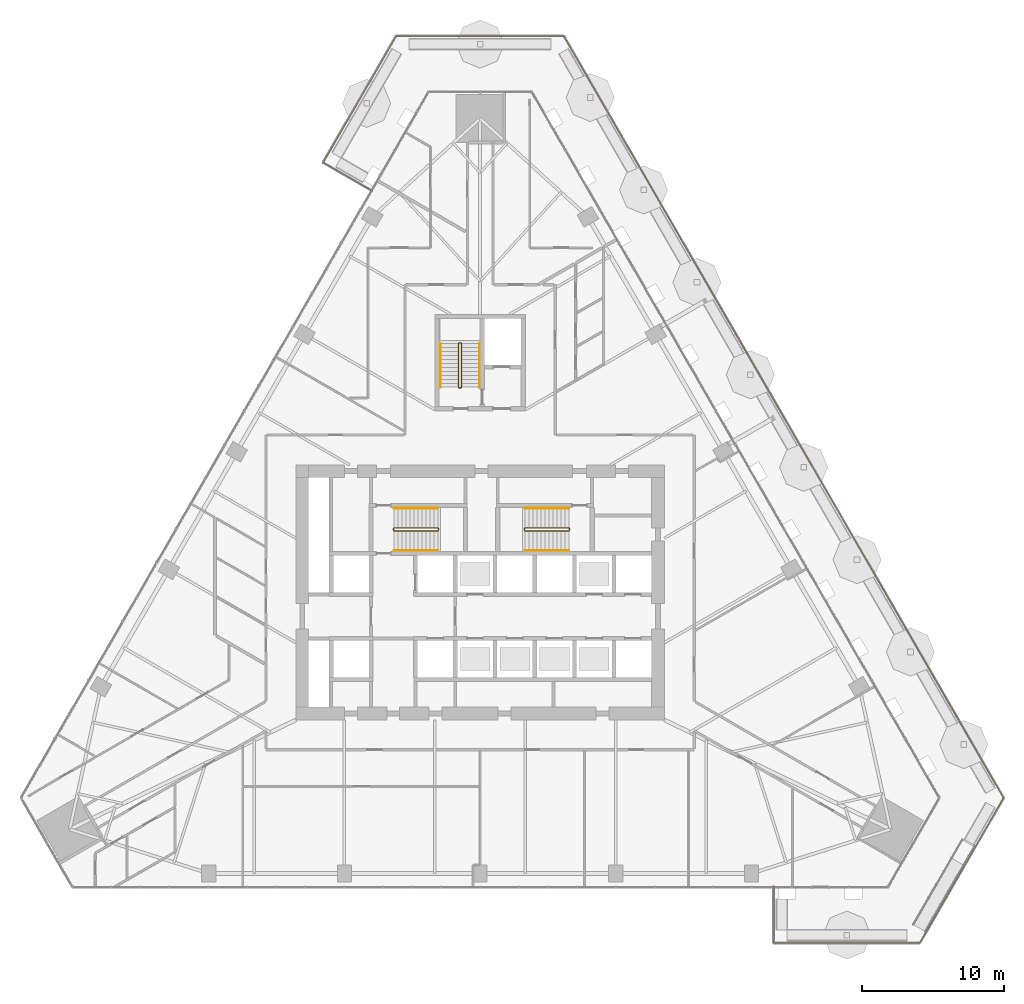
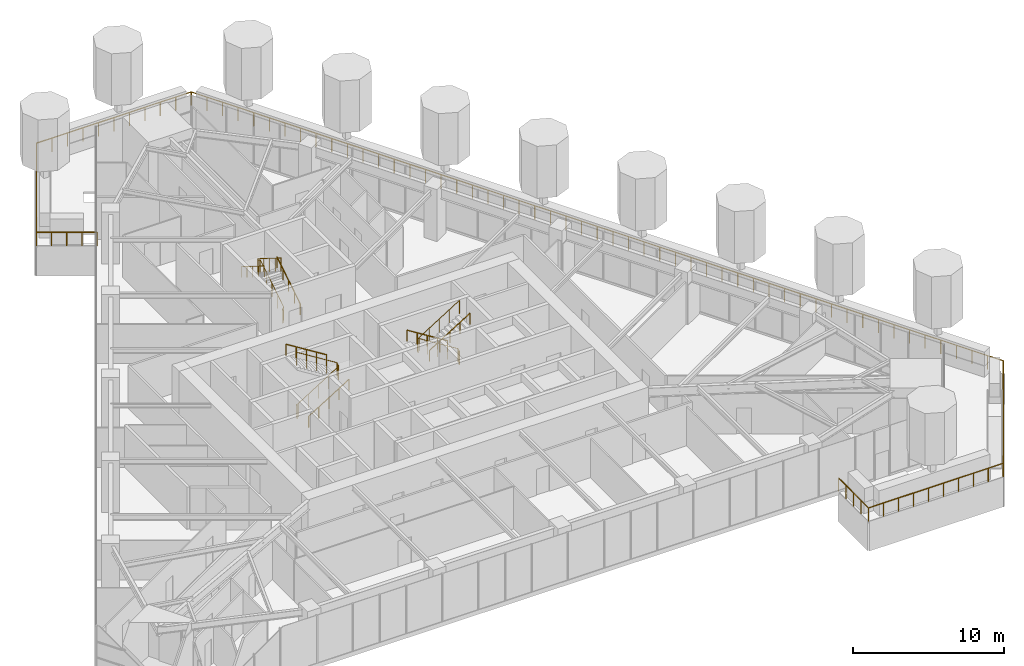
# One storey, part 23 of 26: 10 railings.
"""IFC4 building model written with IfcOpenShell, lengths in metres."""

from ifc_helpers import new_model, si_unit, direction, frame, origin, origin_2d, place, context, subcontext, project, spatial, circle, extrude, material, type_object, element, save


model = new_model("IFC4")

# Units and contexts
model_context = context("Model", 3, precision=1e-05, world=origin(), true_north=direction((0.0, 1.0)))
body_context = subcontext(model_context, "Body", "Model", "MODEL_VIEW")
ifc_project = project(units=[si_unit("LENGTHUNIT", "METRE"), si_unit("AREAUNIT", "SQUARE_METRE"), si_unit("VOLUMEUNIT", "CUBIC_METRE"), si_unit("PLANEANGLEUNIT", "RADIAN"), si_unit("MASSUNIT", "GRAM", prefix="KILO")], contexts=[model_context])

# Site, building, storey
site_placement = place(None, origin())
site = spatial("IfcSite", under=ifc_project, at=site_placement, CompositionType="ELEMENT")
building_placement = place(site_placement, origin())
building = spatial("IfcBuilding", under=site, at=building_placement, Name="Firuza Gate Tower and Library", CompositionType="ELEMENT")
storey_placement = place(building_placement, frame((0.0, 0.0, 52.60009765625)))
storey = spatial("IfcBuildingStorey", under=building, at=storey_placement, Name="L11", CompositionType="ELEMENT", Elevation=52.60009765625)

# Railings
ifc_material_1 = material(Name="Steel S355", Category="steel")
railing_type_1 = type_object("IfcRailingType", Name="Stair guard 1100", PredefinedType="GUARDRAIL", material=ifc_material_1)
railing_1_placement = place(storey_placement, frame((68.889892578125, 79.389892578125, 0.0)))
element("IfcRailing", 1, at=railing_1_placement, inside=storey, type_object=railing_type_1, Name="L11 ST1 stair guard 1", PredefinedType="GUARDRAIL", context=body_context, shape_type="SweptSolid", body=[
    extrude(circle(Radius=0.02392578125, at=origin_2d()), frame((0.0, 0.0, 1.076171875), z_axis=(0.0, 1.0, 0.0), x_axis=(-1.0, 0.0, 0.0)), (0.0, 0.0, 1.0), 0.10009765625),
    extrude(circle(Radius=0.02392578125, at=origin_2d()), frame((0.0, 0.10009765625, 1.076171875), z_axis=(0.212383695785, -0.636115069328, 0.741788908207), x_axis=(0.948528701346, 0.316691178788, 0.0)), (0.0, 0.0, 1.0), 0.235595703125),
    extrude(circle(Radius=0.02392578125, at=origin_2d()), frame((0.050048828125, -0.0498046875, 1.2509765625), z_axis=(0.847998304005, 0.0, 0.529998940003), x_axis=(0.0, 1.0, 0.0)), (0.0, 0.0, 1.0), 3.632080078125),
    extrude(circle(Radius=0.02392578125, at=origin_2d()), frame((3.130126953125, -0.0498046875, 3.17578125), z_axis=(0.708833529934, 0.705375805398, 0.0), x_axis=(-0.705375805398, 0.708833529934, 0.0)), (0.0, 0.0, 1.0), 0.070556640625),
    extrude(circle(Radius=0.02392578125, at=origin_2d()), frame((3.18017578125, 0.0, 3.17578125), z_axis=(0.0, 1.0, 0.0), x_axis=(-1.0, 0.0, 0.0)), (0.0, 0.0, 1.0), 0.10009765625),
    extrude(circle(Radius=0.02392578125, at=origin_2d()), frame((3.18017578125, 0.10009765625, 3.17578125), z_axis=(-0.265065253269, 0.265065253269, 0.927081885822), x_axis=(-0.707106781187, -0.707106781187, 0.0)), (0.0, 0.0, 1.0), 0.188720703125),
    extrude(circle(Radius=0.02392578125, at=origin_2d()), frame((3.130126953125, 0.150146484375, 3.35107421875), z_axis=(-0.847998304005, 0.0, 0.529998940003), x_axis=(0.0, -1.0, 0.0)), (0.0, 0.0, 1.0), 3.632080078125),
    extrude(circle(Radius=0.02099609375, at=origin_2d()), origin(), (0.0, 0.0, 1.0), 1.052001953125),
    extrude(circle(Radius=0.02099609375, at=origin_2d()), frame((0.0, 0.10009765625, 0.0)), (0.0, 0.0, 1.0), 1.052001953125),
    extrude(circle(Radius=0.02099609375, at=origin_2d()), frame((0.050048828125, -0.0498046875, 0.1748046875)), (0.0, 0.0, 1.0), 1.052001953125),
    extrude(circle(Radius=0.02099609375, at=origin_2d()), frame((0.820068359375, -0.0498046875, 0.656005859375)), (0.0, 0.0, 1.0), 1.052001953125),
    extrude(circle(Radius=0.02099609375, at=origin_2d()), frame((1.590087890625, -0.0498046875, 1.13720703125)), (0.0, 0.0, 1.0), 1.052001953125),
    extrude(circle(Radius=0.02099609375, at=origin_2d()), frame((2.360107421875, -0.0498046875, 1.61865234375)), (0.0, 0.0, 1.0), 1.052001953125),
    extrude(circle(Radius=0.02099609375, at=origin_2d()), frame((3.130126953125, -0.0498046875, 2.099853515625)), (0.0, 0.0, 1.0), 1.052001953125),
    extrude(circle(Radius=0.02099609375, at=origin_2d()), frame((3.18017578125, 0.0, 2.099853515625)), (0.0, 0.0, 1.0), 1.052001953125),
    extrude(circle(Radius=0.02099609375, at=origin_2d()), frame((3.18017578125, 0.10009765625, 2.099853515625)), (0.0, 0.0, 1.0), 1.052001953125),
    extrude(circle(Radius=0.02099609375, at=origin_2d()), frame((3.130126953125, 0.150146484375, 2.27490234375)), (0.0, 0.0, 1.0), 1.052001953125),
    extrude(circle(Radius=0.02099609375, at=origin_2d()), frame((2.360107421875, 0.150146484375, 2.756103515625)), (0.0, 0.0, 1.0), 1.052001953125),
    extrude(circle(Radius=0.02099609375, at=origin_2d()), frame((1.590087890625, 0.150146484375, 3.2373046875)), (0.0, 0.0, 1.0), 1.052001953125),
    extrude(circle(Radius=0.02099609375, at=origin_2d()), frame((0.820068359375, 0.150146484375, 3.71875)), (0.0, 0.0, 1.0), 1.052001953125),
    extrude(circle(Radius=0.02099609375, at=origin_2d()), frame((0.050048828125, 0.150146484375, 4.199951171875)), (0.0, 0.0, 1.0), 1.052001953125),
])
railing_2_placement = place(storey_placement, frame((81.31005859375, 79.489990234375, 0.0)))
element("IfcRailing", 2, at=railing_2_placement, inside=storey, type_object=railing_type_1, Name="L11 ST2 stair guard 1", PredefinedType="GUARDRAIL", context=body_context, shape_type="SweptSolid", body=[
    extrude(circle(Radius=0.02392578125, at=origin_2d()), frame((0.0, 0.0, 1.076171875), z_axis=(0.0, -1.0, 0.0), x_axis=(1.0, 0.0, 0.0)), (0.0, 0.0, 1.0), 0.10009765625),
    extrude(circle(Radius=0.02392578125, at=origin_2d()), frame((0.0, -0.10009765625, 1.076171875), z_axis=(-0.21224375372, 0.63673126116, 0.741300134944), x_axis=(-0.948683298051, -0.316227766017, 0.0)), (0.0, 0.0, 1.0), 0.23583984375),
    extrude(circle(Radius=0.02392578125, at=origin_2d()), frame((-0.050048828125, 0.050048828125, 1.2509765625), z_axis=(-0.847998304005, 0.0, 0.529998940003), x_axis=(0.0, -1.0, 0.0)), (0.0, 0.0, 1.0), 3.632080078125),
    extrude(circle(Radius=0.02392578125, at=origin_2d()), frame((-3.130126953125, 0.050048828125, 3.17578125), z_axis=(-0.707106781187, -0.707106781187, 0.0), x_axis=(0.707106781187, -0.707106781187, 0.0)), (0.0, 0.0, 1.0), 0.07080078125),
    extrude(circle(Radius=0.02392578125, at=origin_2d()), frame((-3.18017578125, 0.0, 3.17578125), z_axis=(0.0, -1.0, 0.0), x_axis=(1.0, 0.0, 0.0)), (0.0, 0.0, 1.0), 0.10009765625),
    extrude(circle(Radius=0.02392578125, at=origin_2d()), frame((-3.18017578125, -0.10009765625, 3.17578125), z_axis=(0.265155923931, -0.263862480399, 0.927399011991), x_axis=(0.705375805398, 0.708833529934, 0.0)), (0.0, 0.0, 1.0), 0.188720703125),
    extrude(circle(Radius=0.02392578125, at=origin_2d()), frame((-3.130126953125, -0.14990234375, 3.35107421875), z_axis=(0.847998304005, 0.0, 0.529998940003), x_axis=(0.0, 1.0, 0.0)), (0.0, 0.0, 1.0), 3.632080078125),
    extrude(circle(Radius=0.02099609375, at=origin_2d()), origin(), (0.0, 0.0, 1.0), 1.052001953125),
    extrude(circle(Radius=0.02099609375, at=origin_2d()), frame((0.0, -0.10009765625, 0.0)), (0.0, 0.0, 1.0), 1.052001953125),
    extrude(circle(Radius=0.02099609375, at=origin_2d()), frame((-0.050048828125, 0.050048828125, 0.1748046875)), (0.0, 0.0, 1.0), 1.052001953125),
    extrude(circle(Radius=0.02099609375, at=origin_2d()), frame((-0.820068359375, 0.050048828125, 0.656005859375)), (0.0, 0.0, 1.0), 1.052001953125),
    extrude(circle(Radius=0.02099609375, at=origin_2d()), frame((-1.590087890625, 0.050048828125, 1.13720703125)), (0.0, 0.0, 1.0), 1.052001953125),
    extrude(circle(Radius=0.02099609375, at=origin_2d()), frame((-2.360107421875, 0.050048828125, 1.61865234375)), (0.0, 0.0, 1.0), 1.052001953125),
    extrude(circle(Radius=0.02099609375, at=origin_2d()), frame((-3.130126953125, 0.050048828125, 2.099853515625)), (0.0, 0.0, 1.0), 1.052001953125),
    extrude(circle(Radius=0.02099609375, at=origin_2d()), frame((-3.18017578125, 0.0, 2.099853515625)), (0.0, 0.0, 1.0), 1.052001953125),
    extrude(circle(Radius=0.02099609375, at=origin_2d()), frame((-3.18017578125, -0.10009765625, 2.099853515625)), (0.0, 0.0, 1.0), 1.052001953125),
    extrude(circle(Radius=0.02099609375, at=origin_2d()), frame((-3.130126953125, -0.14990234375, 2.27490234375)), (0.0, 0.0, 1.0), 1.052001953125),
    extrude(circle(Radius=0.02099609375, at=origin_2d()), frame((-2.360107421875, -0.14990234375, 2.756103515625)), (0.0, 0.0, 1.0), 1.052001953125),
    extrude(circle(Radius=0.02099609375, at=origin_2d()), frame((-1.590087890625, -0.14990234375, 3.2373046875)), (0.0, 0.0, 1.0), 1.052001953125),
    extrude(circle(Radius=0.02099609375, at=origin_2d()), frame((-0.820068359375, -0.14990234375, 3.71875)), (0.0, 0.0, 1.0), 1.052001953125),
    extrude(circle(Radius=0.02099609375, at=origin_2d()), frame((-0.050048828125, -0.14990234375, 4.199951171875)), (0.0, 0.0, 1.0), 1.052001953125),
])
railing_3_placement = place(storey_placement, frame((73.6298828125, 89.419921875, 0.0)))
element("IfcRailing", 3, at=railing_3_placement, inside=storey, type_object=railing_type_1, Name="L11 ST3 stair guard 1", PredefinedType="GUARDRAIL", context=body_context, shape_type="SweptSolid", body=[
    extrude(circle(Radius=0.02392578125, at=origin_2d()), frame((0.0, 0.0, 1.076171875), z_axis=(-1.0, 0.0, 0.0), x_axis=(0.0, -1.0, 0.0)), (0.0, 0.0, 1.0), 0.099853515625),
    extrude(circle(Radius=0.02392578125, at=origin_2d()), frame((-0.099853515625, 0.0, 1.076171875), z_axis=(0.636115069328, 0.212383695785, 0.741788908207), x_axis=(-0.316691178788, 0.948528701346, 0.0)), (0.0, 0.0, 1.0), 0.235595703125),
    extrude(circle(Radius=0.02392578125, at=origin_2d()), frame((0.050048828125, 0.050048828125, 1.2509765625), z_axis=(0.0, 0.847998304005, 0.529998940003), x_axis=(-1.0, 0.0, 0.0)), (0.0, 0.0, 1.0), 3.632080078125),
    extrude(circle(Radius=0.02392578125, at=origin_2d()), frame((0.050048828125, 3.130126953125, 3.17578125), z_axis=(-0.707106781187, 0.707106781187, 0.0), x_axis=(-0.707106781187, -0.707106781187, 0.0)), (0.0, 0.0, 1.0), 0.07080078125),
    extrude(circle(Radius=0.02392578125, at=origin_2d()), frame((0.0, 3.18017578125, 3.17578125), z_axis=(-1.0, 0.0, 0.0), x_axis=(0.0, -1.0, 0.0)), (0.0, 0.0, 1.0), 0.099853515625),
    extrude(circle(Radius=0.02392578125, at=origin_2d()), frame((-0.099853515625, 3.18017578125, 3.17578125), z_axis=(-0.265065253269, -0.265065253269, 0.927081885822), x_axis=(0.707106781187, -0.707106781187, 0.0)), (0.0, 0.0, 1.0), 0.188720703125),
    extrude(circle(Radius=0.02392578125, at=origin_2d()), frame((-0.14990234375, 3.130126953125, 3.35107421875), z_axis=(0.0, -0.847998304005, 0.529998940003), x_axis=(1.0, 0.0, 0.0)), (0.0, 0.0, 1.0), 3.632080078125),
    extrude(circle(Radius=0.02099609375, at=origin_2d()), origin(), (0.0, 0.0, 1.0), 1.052001953125),
    extrude(circle(Radius=0.02099609375, at=origin_2d()), frame((-0.099853515625, 0.0, 0.0)), (0.0, 0.0, 1.0), 1.052001953125),
    extrude(circle(Radius=0.02099609375, at=origin_2d()), frame((0.050048828125, 0.050048828125, 0.1748046875)), (0.0, 0.0, 1.0), 1.052001953125),
    extrude(circle(Radius=0.02099609375, at=origin_2d()), frame((0.050048828125, 0.820068359375, 0.656005859375)), (0.0, 0.0, 1.0), 1.052001953125),
    extrude(circle(Radius=0.02099609375, at=origin_2d()), frame((0.050048828125, 1.590087890625, 1.13720703125)), (0.0, 0.0, 1.0), 1.052001953125),
    extrude(circle(Radius=0.02099609375, at=origin_2d()), frame((0.050048828125, 2.360107421875, 1.61865234375)), (0.0, 0.0, 1.0), 1.052001953125),
    extrude(circle(Radius=0.02099609375, at=origin_2d()), frame((0.050048828125, 3.130126953125, 2.099853515625)), (0.0, 0.0, 1.0), 1.052001953125),
    extrude(circle(Radius=0.02099609375, at=origin_2d()), frame((0.0, 3.18017578125, 2.099853515625)), (0.0, 0.0, 1.0), 1.052001953125),
    extrude(circle(Radius=0.02099609375, at=origin_2d()), frame((-0.099853515625, 3.18017578125, 2.099853515625)), (0.0, 0.0, 1.0), 1.052001953125),
    extrude(circle(Radius=0.02099609375, at=origin_2d()), frame((-0.14990234375, 3.130126953125, 2.27490234375)), (0.0, 0.0, 1.0), 1.052001953125),
    extrude(circle(Radius=0.02099609375, at=origin_2d()), frame((-0.14990234375, 2.360107421875, 2.756103515625)), (0.0, 0.0, 1.0), 1.052001953125),
    extrude(circle(Radius=0.02099609375, at=origin_2d()), frame((-0.14990234375, 1.590087890625, 3.2373046875)), (0.0, 0.0, 1.0), 1.052001953125),
    extrude(circle(Radius=0.02099609375, at=origin_2d()), frame((-0.14990234375, 0.820068359375, 3.71875)), (0.0, 0.0, 1.0), 1.052001953125),
    extrude(circle(Radius=0.02099609375, at=origin_2d()), frame((-0.14990234375, 0.050048828125, 4.199951171875)), (0.0, 0.0, 1.0), 1.052001953125),
])
ifc_material_2 = material(Name="Steel S355", Category="steel")
railing_type_2 = type_object("IfcRailingType", Name="Stair handrail 900", PredefinedType="HANDRAIL", material=ifc_material_2)
railing_4_placement = place(storey_placement, frame((68.93994140625, 77.949951171875, 0.1748046875)))
element("IfcRailing", 4, at=railing_4_placement, inside=storey, type_object=railing_type_2, Name="L11 ST1 stair handrail 1", PredefinedType="HANDRAIL", context=body_context, shape_type="SweptSolid", body=[
    extrude(circle(Radius=0.02392578125, at=origin_2d()), frame((0.0, 0.0, 0.8759765625), z_axis=(0.847998304005, 0.0, 0.529998940003), x_axis=(0.0, 1.0, 0.0)), (0.0, 0.0, 1.0), 3.632080078125),
    extrude(circle(Radius=0.02099609375, at=origin_2d()), origin(), (0.0, 0.0, 1.0), 0.851806640625),
    extrude(circle(Radius=0.02099609375, at=origin_2d()), frame((0.77001953125, 0.0, 0.481201171875)), (0.0, 0.0, 1.0), 0.851806640625),
    extrude(circle(Radius=0.02099609375, at=origin_2d()), frame((1.5400390625, 0.0, 0.96240234375)), (0.0, 0.0, 1.0), 0.851806640625),
    extrude(circle(Radius=0.02099609375, at=origin_2d()), frame((2.31005859375, 0.0, 1.44384765625)), (0.0, 0.0, 1.0), 0.851806640625),
    extrude(circle(Radius=0.02099609375, at=origin_2d()), frame((3.080078125, 0.0, 1.925048828125)), (0.0, 0.0, 1.0), 0.851806640625),
])
for number, where, name in (
    (5, (72.02001953125, 80.929931640625, 2.27490234375), "L11 ST1 stair handrail 2"),
    (6, (81.260009765625, 80.929931640625, 0.1748046875), "L11 ST2 stair handrail 1"),
):
    element("IfcRailing", number, at=place(storey_placement, frame(where)), inside=storey, type_object=railing_type_2, Name=name, PredefinedType="HANDRAIL", context=body_context, shape_type="SweptSolid", body=[
        extrude(circle(Radius=0.02392578125, at=origin_2d()), frame((0.0, 0.0, 0.8759765625), z_axis=(-0.847998304005, 0.0, 0.529998940003), x_axis=(0.0, -1.0, 0.0)), (0.0, 0.0, 1.0), 3.632080078125),
        extrude(circle(Radius=0.02099609375, at=origin_2d()), origin(), (0.0, 0.0, 1.0), 0.851806640625),
        extrude(circle(Radius=0.02099609375, at=origin_2d()), frame((-0.77001953125, 0.0, 0.481201171875)), (0.0, 0.0, 1.0), 0.851806640625),
        extrude(circle(Radius=0.02099609375, at=origin_2d()), frame((-1.5400390625, 0.0, 0.96240234375)), (0.0, 0.0, 1.0), 0.851806640625),
        extrude(circle(Radius=0.02099609375, at=origin_2d()), frame((-2.31005859375, 0.0, 1.44384765625)), (0.0, 0.0, 1.0), 0.851806640625),
        extrude(circle(Radius=0.02099609375, at=origin_2d()), frame((-3.080078125, 0.0, 1.925048828125)), (0.0, 0.0, 1.0), 0.851806640625),
    ])
railing_5_placement = place(storey_placement, frame((78.179931640625, 77.949951171875, 2.27490234375)))
element("IfcRailing", 7, at=railing_5_placement, inside=storey, type_object=railing_type_2, Name="L11 ST2 stair handrail 2", PredefinedType="HANDRAIL", context=body_context, shape_type="SweptSolid", body=[
    extrude(circle(Radius=0.02392578125, at=origin_2d()), frame((0.0, 0.0, 0.8759765625), z_axis=(0.847998304005, 0.0, 0.529998940003), x_axis=(0.0, 1.0, 0.0)), (0.0, 0.0, 1.0), 3.632080078125),
    extrude(circle(Radius=0.02099609375, at=origin_2d()), origin(), (0.0, 0.0, 1.0), 0.851806640625),
    extrude(circle(Radius=0.02099609375, at=origin_2d()), frame((0.77001953125, 0.0, 0.481201171875)), (0.0, 0.0, 1.0), 0.851806640625),
    extrude(circle(Radius=0.02099609375, at=origin_2d()), frame((1.5400390625, 0.0, 0.96240234375)), (0.0, 0.0, 1.0), 0.851806640625),
    extrude(circle(Radius=0.02099609375, at=origin_2d()), frame((2.31005859375, 0.0, 1.44384765625)), (0.0, 0.0, 1.0), 0.851806640625),
    extrude(circle(Radius=0.02099609375, at=origin_2d()), frame((3.080078125, 0.0, 1.925048828125)), (0.0, 0.0, 1.0), 0.851806640625),
])
railing_6_placement = place(storey_placement, frame((74.949951171875, 89.469970703125, 0.1748046875)))
element("IfcRailing", 8, at=railing_6_placement, inside=storey, type_object=railing_type_2, Name="L11 ST3 stair handrail 1", PredefinedType="HANDRAIL", context=body_context, shape_type="SweptSolid", body=[
    extrude(circle(Radius=0.02392578125, at=origin_2d()), frame((0.0, 0.0, 0.8759765625), z_axis=(0.0, 0.847998304005, 0.529998940003), x_axis=(-1.0, 0.0, 0.0)), (0.0, 0.0, 1.0), 3.632080078125),
    extrude(circle(Radius=0.02099609375, at=origin_2d()), origin(), (0.0, 0.0, 1.0), 0.851806640625),
    extrude(circle(Radius=0.02099609375, at=origin_2d()), frame((0.0, 0.77001953125, 0.481201171875)), (0.0, 0.0, 1.0), 0.851806640625),
    extrude(circle(Radius=0.02099609375, at=origin_2d()), frame((0.0, 1.5400390625, 0.96240234375)), (0.0, 0.0, 1.0), 0.851806640625),
    extrude(circle(Radius=0.02099609375, at=origin_2d()), frame((0.0, 2.31005859375, 1.44384765625)), (0.0, 0.0, 1.0), 0.851806640625),
    extrude(circle(Radius=0.02099609375, at=origin_2d()), frame((0.0, 3.080078125, 1.925048828125)), (0.0, 0.0, 1.0), 0.851806640625),
])
railing_7_placement = place(storey_placement, frame((72.2099609375, 92.550048828125, 2.27490234375)))
element("IfcRailing", 9, at=railing_7_placement, inside=storey, type_object=railing_type_2, Name="L11 ST3 stair handrail 2", PredefinedType="HANDRAIL", context=body_context, shape_type="SweptSolid", body=[
    extrude(circle(Radius=0.02392578125, at=origin_2d()), frame((0.0, 0.0, 0.8759765625), z_axis=(0.0, -0.847998304005, 0.529998940003), x_axis=(1.0, 0.0, 0.0)), (0.0, 0.0, 1.0), 3.632080078125),
    extrude(circle(Radius=0.02099609375, at=origin_2d()), origin(), (0.0, 0.0, 1.0), 0.851806640625),
    extrude(circle(Radius=0.02099609375, at=origin_2d()), frame((0.0, -0.77001953125, 0.481201171875)), (0.0, 0.0, 1.0), 0.851806640625),
    extrude(circle(Radius=0.02099609375, at=origin_2d()), frame((0.0, -1.5400390625, 0.96240234375)), (0.0, 0.0, 1.0), 0.851806640625),
    extrude(circle(Radius=0.02099609375, at=origin_2d()), frame((0.0, -2.31005859375, 1.44384765625)), (0.0, 0.0, 1.0), 0.851806640625),
    extrude(circle(Radius=0.02099609375, at=origin_2d()), frame((0.0, -3.080078125, 1.925048828125)), (0.0, 0.0, 1.0), 0.851806640625),
])
ifc_material_3 = material(Name="Steel S355", Category="steel")
railing_type_3 = type_object("IfcRailingType", Name="Terrace guard 1100", PredefinedType="GUARDRAIL", material=ifc_material_3)
railing_8_placement = place(storey_placement, frame((95.727783203125, 54.272216796875, 0.0)))
element("IfcRailing", 10, at=railing_8_placement, inside=storey, type_object=railing_type_3, Name="Tray guard L11", PredefinedType="GUARDRAIL", context=body_context, shape_type="SweptSolid", body=[
    extrude(circle(Radius=0.02392578125, at=origin_2d()), frame((0.0, 0.0, 1.076171875), z_axis=(0.0, -1.0, 0.0), x_axis=(1.0, 0.0, 0.0)), (0.0, 0.0, 1.0), 4.0),
    extrude(circle(Radius=0.02392578125, at=origin_2d()), frame((0.0, -4.0, 1.076171875), z_axis=(1.0, 0.0, 0.0), x_axis=(0.0, 1.0, 0.0)), (0.0, 0.0, 1.0), 10.283203125),
    extrude(circle(Radius=0.02392578125, at=origin_2d()), frame((10.283203125, -4.0, 1.076171875), z_axis=(0.500002592159, 0.866023907196, 0.0), x_axis=(-0.866023907196, 0.500002592159, 0.0)), (0.0, 0.0, 1.0), 11.81884765625),
    extrude(circle(Radius=0.02392578125, at=origin_2d()), frame((16.192626953125, 6.2353515625, 1.076171875), z_axis=(-0.499999702785, 0.866025575382, 0.0), x_axis=(-0.866025575382, -0.499999702785, 0.0)), (0.0, 0.0, 1.0), 62.02197265625),
    extrude(circle(Radius=0.02392578125, at=origin_2d()), frame((-14.818359375, 59.947998046875, 1.076171875), z_axis=(-1.0, 0.0, 0.0), x_axis=(0.0, -1.0, 0.0)), (0.0, 0.0, 1.0), 11.81884765625),
    extrude(circle(Radius=0.02392578125, at=origin_2d()), frame((-26.63720703125, 59.947998046875, 1.076171875), z_axis=(-0.499999897272, -0.866025463095, 0.0), x_axis=(0.866025463095, -0.499999897272, 0.0)), (0.0, 0.0, 1.0), 10.283203125),
    extrude(circle(Radius=0.02392578125, at=origin_2d()), frame((-31.77880859375, 51.04248046875, 1.076171875), z_axis=(0.866026010844, -0.49999894854, 0.0), x_axis=(0.49999894854, 0.866026010844, 0.0)), (0.0, 0.0, 1.0), 4.0),
    extrude(circle(Radius=0.02099609375, at=origin_2d()), origin(), (0.0, 0.0, 1.0), 1.052001953125),
    extrude(circle(Radius=0.02099609375, at=origin_2d()), frame((0.0, -1.0, 0.0)), (0.0, 0.0, 1.0), 1.052001953125),
    extrude(circle(Radius=0.02099609375, at=origin_2d()), frame((0.0, -2.0, 0.0)), (0.0, 0.0, 1.0), 1.052001953125),
    extrude(circle(Radius=0.02099609375, at=origin_2d()), frame((0.0, -3.0, 0.0)), (0.0, 0.0, 1.0), 1.052001953125),
    extrude(circle(Radius=0.02099609375, at=origin_2d()), frame((0.0, -4.0, 0.0)), (0.0, 0.0, 1.0), 1.052001953125),
    extrude(circle(Radius=0.02099609375, at=origin_2d()), frame((1.142578125, -4.0, 0.0)), (0.0, 0.0, 1.0), 1.052001953125),
    extrude(circle(Radius=0.02099609375, at=origin_2d()), frame((2.28515625, -4.0, 0.0)), (0.0, 0.0, 1.0), 1.052001953125),
    extrude(circle(Radius=0.02099609375, at=origin_2d()), frame((3.427734375, -4.0, 0.0)), (0.0, 0.0, 1.0), 1.052001953125),
    extrude(circle(Radius=0.02099609375, at=origin_2d()), frame((4.5703125, -4.0, 0.0)), (0.0, 0.0, 1.0), 1.052001953125),
    extrude(circle(Radius=0.02099609375, at=origin_2d()), frame((5.712890625, -4.0, 0.0)), (0.0, 0.0, 1.0), 1.052001953125),
    extrude(circle(Radius=0.02099609375, at=origin_2d()), frame((6.85546875, -4.0, 0.0)), (0.0, 0.0, 1.0), 1.052001953125),
    extrude(circle(Radius=0.02099609375, at=origin_2d()), frame((7.998046875, -4.0, 0.0)), (0.0, 0.0, 1.0), 1.052001953125),
    extrude(circle(Radius=0.02099609375, at=origin_2d()), frame((9.140625, -4.0, 0.0)), (0.0, 0.0, 1.0), 1.052001953125),
    extrude(circle(Radius=0.02099609375, at=origin_2d()), frame((10.283203125, -4.0, 0.0)), (0.0, 0.0, 1.0), 1.052001953125),
    extrude(circle(Radius=0.02099609375, at=origin_2d()), frame((10.8740234375, -2.9765625, 0.0)), (0.0, 0.0, 1.0), 1.052001953125),
    extrude(circle(Radius=0.02099609375, at=origin_2d()), frame((11.465087890625, -1.952880859375, 0.0)), (0.0, 0.0, 1.0), 1.052001953125),
    extrude(circle(Radius=0.02099609375, at=origin_2d()), frame((12.05615234375, -0.929443359375, 0.0)), (0.0, 0.0, 1.0), 1.052001953125),
    extrude(circle(Radius=0.02099609375, at=origin_2d()), frame((12.64697265625, 0.09423828125, 0.0)), (0.0, 0.0, 1.0), 1.052001953125),
    extrude(circle(Radius=0.02099609375, at=origin_2d()), frame((13.23779296875, 1.11767578125, 0.0)), (0.0, 0.0, 1.0), 1.052001953125),
    extrude(circle(Radius=0.02099609375, at=origin_2d()), frame((13.828857421875, 2.14111328125, 0.0)), (0.0, 0.0, 1.0), 1.052001953125),
    extrude(circle(Radius=0.02099609375, at=origin_2d()), frame((14.419921875, 3.164794921875, 0.0)), (0.0, 0.0, 1.0), 1.052001953125),
    extrude(circle(Radius=0.02099609375, at=origin_2d()), frame((15.0107421875, 4.188232421875, 0.0)), (0.0, 0.0, 1.0), 1.052001953125),
    extrude(circle(Radius=0.02099609375, at=origin_2d()), frame((15.6015625, 5.2119140625, 0.0)), (0.0, 0.0, 1.0), 1.052001953125),
    extrude(circle(Radius=0.02099609375, at=origin_2d()), frame((16.192626953125, 6.2353515625, 0.0)), (0.0, 0.0, 1.0), 1.052001953125),
    extrude(circle(Radius=0.02099609375, at=origin_2d()), frame((15.59619140625, 7.268310546875, 0.0)), (0.0, 0.0, 1.0), 1.052001953125),
    extrude(circle(Radius=0.02099609375, at=origin_2d()), frame((15.0, 8.30126953125, 0.0)), (0.0, 0.0, 1.0), 1.052001953125),
    extrude(circle(Radius=0.02099609375, at=origin_2d()), frame((14.403564453125, 9.334228515625, 0.0)), (0.0, 0.0, 1.0), 1.052001953125),
    extrude(circle(Radius=0.02099609375, at=origin_2d()), frame((13.80712890625, 10.3671875, 0.0)), (0.0, 0.0, 1.0), 1.052001953125),
    extrude(circle(Radius=0.02099609375, at=origin_2d()), frame((13.210693359375, 11.400146484375, 0.0)), (0.0, 0.0, 1.0), 1.052001953125),
    extrude(circle(Radius=0.02099609375, at=origin_2d()), frame((12.614501953125, 12.432861328125, 0.0)), (0.0, 0.0, 1.0), 1.052001953125),
    extrude(circle(Radius=0.02099609375, at=origin_2d()), frame((12.01806640625, 13.4658203125, 0.0)), (0.0, 0.0, 1.0), 1.052001953125),
    extrude(circle(Radius=0.02099609375, at=origin_2d()), frame((11.421630859375, 14.498779296875, 0.0)), (0.0, 0.0, 1.0), 1.052001953125),
    extrude(circle(Radius=0.02099609375, at=origin_2d()), frame((10.825439453125, 15.53173828125, 0.0)), (0.0, 0.0, 1.0), 1.052001953125),
    extrude(circle(Radius=0.02099609375, at=origin_2d()), frame((10.22900390625, 16.564697265625, 0.0)), (0.0, 0.0, 1.0), 1.052001953125),
    extrude(circle(Radius=0.02099609375, at=origin_2d()), frame((9.632568359375, 17.59765625, 0.0)), (0.0, 0.0, 1.0), 1.052001953125),
    extrude(circle(Radius=0.02099609375, at=origin_2d()), frame((9.0361328125, 18.630615234375, 0.0)), (0.0, 0.0, 1.0), 1.052001953125),
    extrude(circle(Radius=0.02099609375, at=origin_2d()), frame((8.43994140625, 19.66357421875, 0.0)), (0.0, 0.0, 1.0), 1.052001953125),
    extrude(circle(Radius=0.02099609375, at=origin_2d()), frame((7.843505859375, 20.696533203125, 0.0)), (0.0, 0.0, 1.0), 1.052001953125),
    extrude(circle(Radius=0.02099609375, at=origin_2d()), frame((7.2470703125, 21.7294921875, 0.0)), (0.0, 0.0, 1.0), 1.052001953125),
    extrude(circle(Radius=0.02099609375, at=origin_2d()), frame((6.65087890625, 22.76220703125, 0.0)), (0.0, 0.0, 1.0), 1.052001953125),
    extrude(circle(Radius=0.02099609375, at=origin_2d()), frame((6.054443359375, 23.795166015625, 0.0)), (0.0, 0.0, 1.0), 1.052001953125),
    extrude(circle(Radius=0.02099609375, at=origin_2d()), frame((5.4580078125, 24.828125, 0.0)), (0.0, 0.0, 1.0), 1.052001953125),
    extrude(circle(Radius=0.02099609375, at=origin_2d()), frame((4.861572265625, 25.861083984375, 0.0)), (0.0, 0.0, 1.0), 1.052001953125),
    extrude(circle(Radius=0.02099609375, at=origin_2d()), frame((4.265380859375, 26.89404296875, 0.0)), (0.0, 0.0, 1.0), 1.052001953125),
    extrude(circle(Radius=0.02099609375, at=origin_2d()), frame((3.6689453125, 27.927001953125, 0.0)), (0.0, 0.0, 1.0), 1.052001953125),
    extrude(circle(Radius=0.02099609375, at=origin_2d()), frame((3.072509765625, 28.9599609375, 0.0)), (0.0, 0.0, 1.0), 1.052001953125),
    extrude(circle(Radius=0.02099609375, at=origin_2d()), frame((2.476318359375, 29.992919921875, 0.0)), (0.0, 0.0, 1.0), 1.052001953125),
    extrude(circle(Radius=0.02099609375, at=origin_2d()), frame((1.8798828125, 31.02587890625, 0.0)), (0.0, 0.0, 1.0), 1.052001953125),
    extrude(circle(Radius=0.02099609375, at=origin_2d()), frame((1.283447265625, 32.058837890625, 0.0)), (0.0, 0.0, 1.0), 1.052001953125),
    extrude(circle(Radius=0.02099609375, at=origin_2d()), frame((0.68701171875, 33.091796875, 0.0)), (0.0, 0.0, 1.0), 1.052001953125),
    extrude(circle(Radius=0.02099609375, at=origin_2d()), frame((0.0908203125, 34.12451171875, 0.0)), (0.0, 0.0, 1.0), 1.052001953125),
    extrude(circle(Radius=0.02099609375, at=origin_2d()), frame((-0.505615234375, 35.157470703125, 0.0)), (0.0, 0.0, 1.0), 1.052001953125),
    extrude(circle(Radius=0.02099609375, at=origin_2d()), frame((-1.10205078125, 36.1904296875, 0.0)), (0.0, 0.0, 1.0), 1.052001953125),
    extrude(circle(Radius=0.02099609375, at=origin_2d()), frame((-1.6982421875, 37.223388671875, 0.0)), (0.0, 0.0, 1.0), 1.052001953125),
    extrude(circle(Radius=0.02099609375, at=origin_2d()), frame((-2.294677734375, 38.25634765625, 0.0)), (0.0, 0.0, 1.0), 1.052001953125),
    extrude(circle(Radius=0.02099609375, at=origin_2d()), frame((-2.89111328125, 39.289306640625, 0.0)), (0.0, 0.0, 1.0), 1.052001953125),
    extrude(circle(Radius=0.02099609375, at=origin_2d()), frame((-3.4873046875, 40.322265625, 0.0)), (0.0, 0.0, 1.0), 1.052001953125),
    extrude(circle(Radius=0.02099609375, at=origin_2d()), frame((-4.083740234375, 41.355224609375, 0.0)), (0.0, 0.0, 1.0), 1.052001953125),
    extrude(circle(Radius=0.02099609375, at=origin_2d()), frame((-4.68017578125, 42.38818359375, 0.0)), (0.0, 0.0, 1.0), 1.052001953125),
    extrude(circle(Radius=0.02099609375, at=origin_2d()), frame((-5.276611328125, 43.421142578125, 0.0)), (0.0, 0.0, 1.0), 1.052001953125),
    extrude(circle(Radius=0.02099609375, at=origin_2d()), frame((-5.872802734375, 44.453857421875, 0.0)), (0.0, 0.0, 1.0), 1.052001953125),
    extrude(circle(Radius=0.02099609375, at=origin_2d()), frame((-6.46923828125, 45.48681640625, 0.0)), (0.0, 0.0, 1.0), 1.052001953125),
    extrude(circle(Radius=0.02099609375, at=origin_2d()), frame((-7.065673828125, 46.519775390625, 0.0)), (0.0, 0.0, 1.0), 1.052001953125),
    extrude(circle(Radius=0.02099609375, at=origin_2d()), frame((-7.661865234375, 47.552734375, 0.0)), (0.0, 0.0, 1.0), 1.052001953125),
    extrude(circle(Radius=0.02099609375, at=origin_2d()), frame((-8.25830078125, 48.585693359375, 0.0)), (0.0, 0.0, 1.0), 1.052001953125),
    extrude(circle(Radius=0.02099609375, at=origin_2d()), frame((-8.854736328125, 49.61865234375, 0.0)), (0.0, 0.0, 1.0), 1.052001953125),
    extrude(circle(Radius=0.02099609375, at=origin_2d()), frame((-9.451171875, 50.651611328125, 0.0)), (0.0, 0.0, 1.0), 1.052001953125),
    extrude(circle(Radius=0.02099609375, at=origin_2d()), frame((-10.04736328125, 51.6845703125, 0.0)), (0.0, 0.0, 1.0), 1.052001953125),
    extrude(circle(Radius=0.02099609375, at=origin_2d()), frame((-10.643798828125, 52.717529296875, 0.0)), (0.0, 0.0, 1.0), 1.052001953125),
    extrude(circle(Radius=0.02099609375, at=origin_2d()), frame((-11.240234375, 53.75048828125, 0.0)), (0.0, 0.0, 1.0), 1.052001953125),
    extrude(circle(Radius=0.02099609375, at=origin_2d()), frame((-11.83642578125, 54.783203125, 0.0)), (0.0, 0.0, 1.0), 1.052001953125),
    extrude(circle(Radius=0.02099609375, at=origin_2d()), frame((-12.432861328125, 55.816162109375, 0.0)), (0.0, 0.0, 1.0), 1.052001953125),
    extrude(circle(Radius=0.02099609375, at=origin_2d()), frame((-13.029296875, 56.84912109375, 0.0)), (0.0, 0.0, 1.0), 1.052001953125),
    extrude(circle(Radius=0.02099609375, at=origin_2d()), frame((-13.625732421875, 57.882080078125, 0.0)), (0.0, 0.0, 1.0), 1.052001953125),
    extrude(circle(Radius=0.02099609375, at=origin_2d()), frame((-14.221923828125, 58.9150390625, 0.0)), (0.0, 0.0, 1.0), 1.052001953125),
    extrude(circle(Radius=0.02099609375, at=origin_2d()), frame((-14.818359375, 59.947998046875, 0.0)), (0.0, 0.0, 1.0), 1.052001953125),
    extrude(circle(Radius=0.02099609375, at=origin_2d()), frame((-16.000244140625, 59.947998046875, 0.0)), (0.0, 0.0, 1.0), 1.052001953125),
    extrude(circle(Radius=0.02099609375, at=origin_2d()), frame((-17.18212890625, 59.947998046875, 0.0)), (0.0, 0.0, 1.0), 1.052001953125),
    extrude(circle(Radius=0.02099609375, at=origin_2d()), frame((-18.364013671875, 59.947998046875, 0.0)), (0.0, 0.0, 1.0), 1.052001953125),
    extrude(circle(Radius=0.02099609375, at=origin_2d()), frame((-19.5458984375, 59.947998046875, 0.0)), (0.0, 0.0, 1.0), 1.052001953125),
    extrude(circle(Radius=0.02099609375, at=origin_2d()), frame((-20.727783203125, 59.947998046875, 0.0)), (0.0, 0.0, 1.0), 1.052001953125),
    extrude(circle(Radius=0.02099609375, at=origin_2d()), frame((-21.90966796875, 59.947998046875, 0.0)), (0.0, 0.0, 1.0), 1.052001953125),
    extrude(circle(Radius=0.02099609375, at=origin_2d()), frame((-23.091552734375, 59.947998046875, 0.0)), (0.0, 0.0, 1.0), 1.052001953125),
    extrude(circle(Radius=0.02099609375, at=origin_2d()), frame((-24.2734375, 59.947998046875, 0.0)), (0.0, 0.0, 1.0), 1.052001953125),
    extrude(circle(Radius=0.02099609375, at=origin_2d()), frame((-25.455322265625, 59.947998046875, 0.0)), (0.0, 0.0, 1.0), 1.052001953125),
    extrude(circle(Radius=0.02099609375, at=origin_2d()), frame((-26.63720703125, 59.947998046875, 0.0)), (0.0, 0.0, 1.0), 1.052001953125),
    extrude(circle(Radius=0.02099609375, at=origin_2d()), frame((-27.20849609375, 58.95849609375, 0.0)), (0.0, 0.0, 1.0), 1.052001953125),
    extrude(circle(Radius=0.02099609375, at=origin_2d()), frame((-27.77978515625, 57.968994140625, 0.0)), (0.0, 0.0, 1.0), 1.052001953125),
    extrude(circle(Radius=0.02099609375, at=origin_2d()), frame((-28.35107421875, 56.9794921875, 0.0)), (0.0, 0.0, 1.0), 1.052001953125),
    extrude(circle(Radius=0.02099609375, at=origin_2d()), frame((-28.92236328125, 55.989990234375, 0.0)), (0.0, 0.0, 1.0), 1.052001953125),
    extrude(circle(Radius=0.02099609375, at=origin_2d()), frame((-29.49365234375, 55.00048828125, 0.0)), (0.0, 0.0, 1.0), 1.052001953125),
    extrude(circle(Radius=0.02099609375, at=origin_2d()), frame((-30.06494140625, 54.010986328125, 0.0)), (0.0, 0.0, 1.0), 1.052001953125),
    extrude(circle(Radius=0.02099609375, at=origin_2d()), frame((-30.63623046875, 53.021484375, 0.0)), (0.0, 0.0, 1.0), 1.052001953125),
    extrude(circle(Radius=0.02099609375, at=origin_2d()), frame((-31.20751953125, 52.031982421875, 0.0)), (0.0, 0.0, 1.0), 1.052001953125),
    extrude(circle(Radius=0.02099609375, at=origin_2d()), frame((-31.77880859375, 51.04248046875, 0.0)), (0.0, 0.0, 1.0), 1.052001953125),
    extrude(circle(Radius=0.02099609375, at=origin_2d()), frame((-30.912841796875, 50.54248046875, 0.0)), (0.0, 0.0, 1.0), 1.052001953125),
    extrude(circle(Radius=0.02099609375, at=origin_2d()), frame((-30.046875, 50.04248046875, 0.0)), (0.0, 0.0, 1.0), 1.052001953125),
    extrude(circle(Radius=0.02099609375, at=origin_2d()), frame((-29.1806640625, 49.54248046875, 0.0)), (0.0, 0.0, 1.0), 1.052001953125),
    extrude(circle(Radius=0.02099609375, at=origin_2d()), frame((-28.314697265625, 49.04248046875, 0.0)), (0.0, 0.0, 1.0), 1.052001953125),
])

save(model, "model.ifc")
